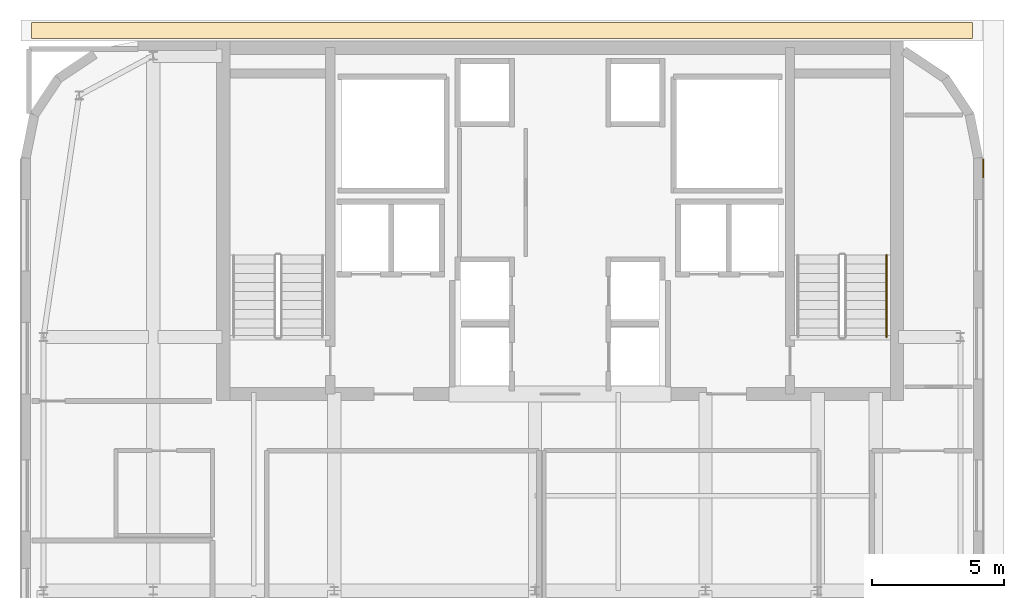
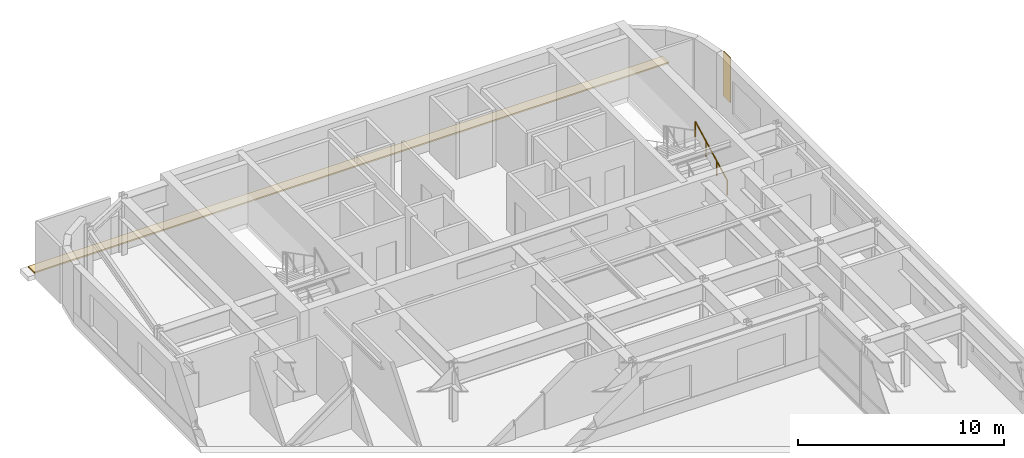
# One storey, part 16 of 16: 2 coverings, 1 railing.
"""IFC4 building model written with IfcOpenShell, lengths in metres."""

from ifc_helpers import new_model, si_unit, direction, frame, origin, origin_2d, place, context, subcontext, project, spatial, polyline, circle, outline, extrude, material, layer, layer_set, type_object, element, save


model = new_model("IFC4")

# Units and contexts
model_context = context("Model", 3, precision=1e-05, world=origin(), true_north=direction((0.0, 1.0)))
body_context = subcontext(model_context, "Body", "Model", "MODEL_VIEW")
ifc_project = project(units=[si_unit("LENGTHUNIT", "METRE"), si_unit("AREAUNIT", "SQUARE_METRE"), si_unit("VOLUMEUNIT", "CUBIC_METRE"), si_unit("PLANEANGLEUNIT", "RADIAN"), si_unit("MASSUNIT", "GRAM", prefix="KILO")], contexts=[model_context])

# Site, building, storey
site_placement = place(None, origin())
site = spatial("IfcSite", under=ifc_project, at=site_placement, CompositionType="ELEMENT")
building_placement = place(site_placement, origin())
building = spatial("IfcBuilding", under=site, at=building_placement, Name="Tolvann Quenvar Hotel", CompositionType="ELEMENT")
storey_placement = place(building_placement, frame((0.0, 0.0, 241.64990234375)))
storey = spatial("IfcBuildingStorey", under=building, at=storey_placement, Name="L64", CompositionType="ELEMENT", Elevation=241.64990234375)

# Coverings
ifc_material_1 = material(Name="Kiln-fired red architectural face brick cladding", Category="masonry")
ifc_layer_1 = layer(ifc_material_1, 0.0400390625)
ifc_layer_set_1 = layer_set([ifc_layer_1], Name="Kiln-fired red architectural face brick cladding")
covering_type_1 = type_object("IfcCoveringType", Name="COV_CLAD_BRICK_40", PredefinedType="CLADDING", material=ifc_layer_set_1)
covering_1_placement = place(storey_placement, frame((0.0, 0.0, 0.7001953125)))
element("IfcCovering", 1, at=covering_1_placement, inside=storey, type_object=covering_type_1, Name="Brick Pier Cladding (L64-E13-P2)", PredefinedType="CLADDING", context=body_context, shape_type="SweptSolid", body=[
    extrude(outline(polyline([(39.0, 40.03271484375), (39.0, 40.73291015625), (39.0400390625, 40.73291015625), (39.0400390625, 40.03271484375), (39.0, 40.03271484375)])), origin(), (0.0, 0.0, 1.0), 2.669921875),
])
ifc_material_2 = material(Name="Elastomeric SBS waterproof roofing membrane and rigid insulation")
ifc_layer_2 = layer(ifc_material_2, 0.080078125)
ifc_layer_set_2 = layer_set([ifc_layer_2], Name="Elastomeric SBS waterproof roofing membrane and rigid insulation")
covering_type_2 = type_object("IfcCoveringType", Name="COV_ROOF_MEMB_80", PredefinedType="ROOFING", material=ifc_layer_set_2)
covering_2_placement = place(storey_placement, origin())
element("IfcCovering", 2, at=covering_2_placement, inside=storey, type_object=covering_type_2, Name="Waterproof Roof Membrane (ROOFING-L64-N)", PredefinedType="ROOFING", context=body_context, shape_type="SweptSolid", body=[
    extrude(outline(polyline([(3.0, 45.300048828125), (38.60009765625, 45.300048828125), (38.60009765625, 45.89990234375), (3.0, 45.89990234375), (3.0, 45.300048828125)])), origin(), (0.0, 0.0, 1.0), 0.080078125),
])

# Railing
ifc_material_3 = material(Name="Brushed 316 stainless steel balustrade and handrail", Category="steel")
railing_type = type_object("IfcRailingType", Name="HANDRAIL", PredefinedType="HANDRAIL", material=ifc_material_3)
railing_placement = place(storey_placement, frame((35.35009765625, 34.0, 0.177490234375)))
element("IfcRailing", 3, at=railing_placement, inside=storey, type_object=railing_type, Name="L64 ST-C2 stair handrail 1", PredefinedType="HANDRAIL", context=body_context, shape_type="SweptSolid", body=[
    extrude(circle(Radius=0.02392578125, at=origin_2d()), frame((0.0, 0.0, 0.8759765625), z_axis=(0.0, 0.88919353882, 0.457531256332), x_axis=(-1.0, 0.0, 0.0)), (0.0, 0.0, 1.0), 3.491943359375),
    extrude(circle(Radius=0.02099609375, at=origin_2d()), origin(), (0.0, 0.0, 1.0), 0.851806640625),
    extrude(circle(Radius=0.02099609375, at=origin_2d()), frame((0.0, 1.034912109375, 0.532470703125)), (0.0, 0.0, 1.0), 0.851806640625),
    extrude(circle(Radius=0.02099609375, at=origin_2d()), frame((0.0, 2.070068359375, 1.065185546875)), (0.0, 0.0, 1.0), 0.851806640625),
    extrude(circle(Radius=0.02099609375, at=origin_2d()), frame((0.0, 3.10498046875, 1.59765625)), (0.0, 0.0, 1.0), 0.851806640625),
])

save(model, "model.ifc")
